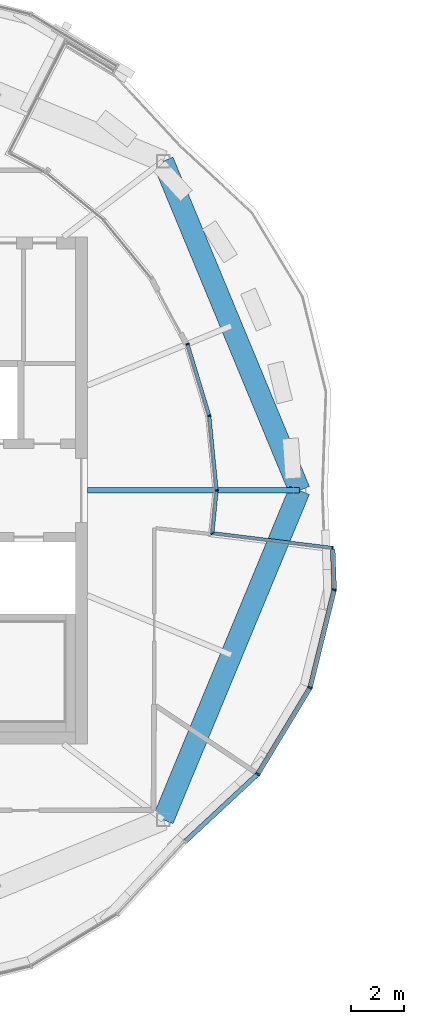
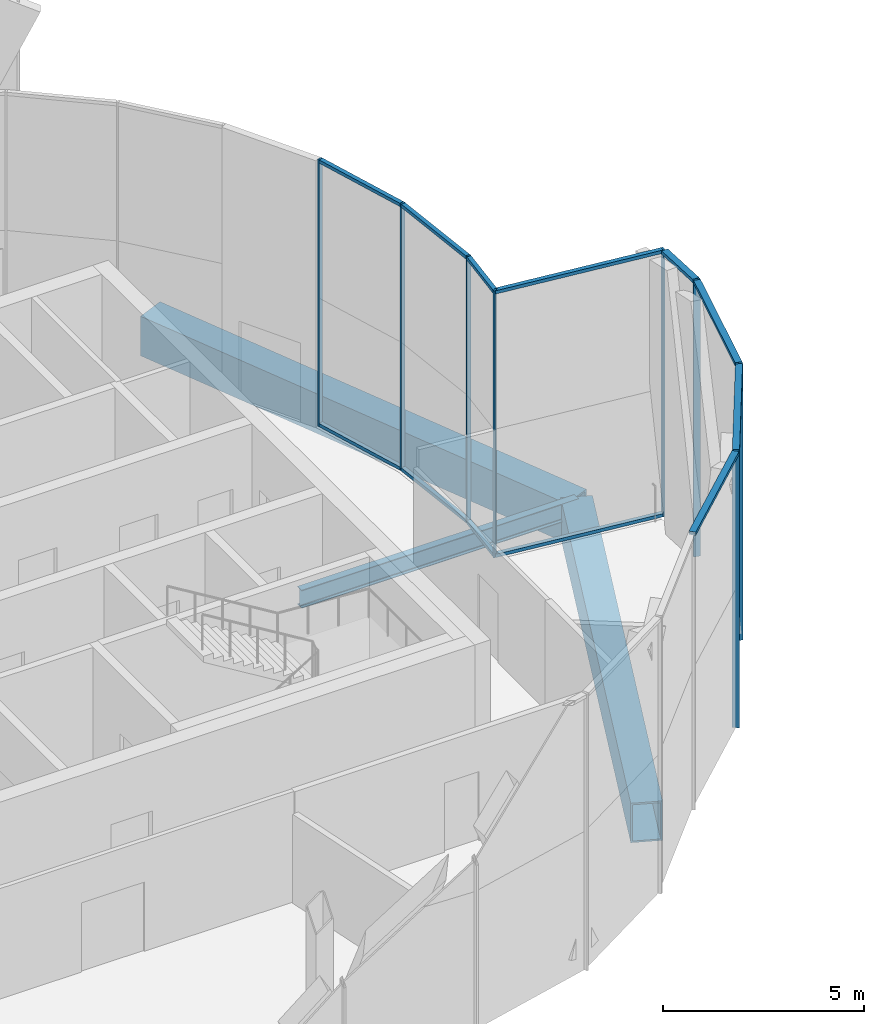
# One storey, part 7 of 24: 20 members, 3 beams, 4 elements without a shape of their own.
"""IFC4 building model written with IfcOpenShell, lengths in metres."""

from ifc_helpers import new_model, si_unit, direction, frame, origin, origin_2d, place, context, subcontext, project, spatial, rectangle, hollow_rectangle, i_section, extrude, material, material_profile, profile_set, type_object, element, aggregate, save


model = new_model("IFC4")

# Units and contexts
model_context = context("Model", 3, precision=1e-05, world=origin(), true_north=direction((0.0, 1.0)))
body_context = subcontext(model_context, "Body", "Model", "MODEL_VIEW")
ifc_project = project(units=[si_unit("LENGTHUNIT", "METRE"), si_unit("AREAUNIT", "SQUARE_METRE"), si_unit("VOLUMEUNIT", "CUBIC_METRE"), si_unit("PLANEANGLEUNIT", "RADIAN"), si_unit("MASSUNIT", "GRAM", prefix="KILO")], contexts=[model_context])

# Site, building, storey
site_placement = place(None, origin())
site = spatial("IfcSite", under=ifc_project, at=site_placement, CompositionType="ELEMENT")
building_placement = place(site_placement, origin())
building = spatial("IfcBuilding", under=site, at=building_placement, Name="Ogive Gate Towers", CompositionType="ELEMENT")
storey_placement = place(building_placement, frame((0.0, 0.0, 277.199951171875)))
storey = spatial("IfcBuildingStorey", under=building, at=storey_placement, Name="L65", CompositionType="ELEMENT", Elevation=277.199951171875)

# Beams
ifc_material_1 = material(Name="Steel SM460", Category="steel")
ifc_material_profile_1 = material_profile(ifc_material_1, hollow_rectangle(XDim=0.800048828125, YDim=1.199951171875, WallThickness=0.050048828125, at=origin_2d()), Name="BX 1200x800x50")
ifc_profile_set_1 = profile_set([ifc_material_profile_1], Name="Steel SM460")
beam_type_1 = type_object("IfcBeamType", Name="Edge girder BX 1200x800x50", PredefinedType="BEAM", material=ifc_profile_set_1)
for number, where, z_axis, x_axis, name in (
    (1, (-23.657470703125, -12.342529296875, -0.89990234375), (0.382690191996, 0.923876732551, 0.0), (-0.923876732551, 0.382690191996, 0.0), "T1/L65/SBM019"),
    (2, (-18.544921875, 0.0, -0.89990234375), (-0.382690191996, 0.923876732551, 0.0), (-0.923876732551, -0.382690191996, 0.0), "T1/L65/SBM020"),
):
    element("IfcBeam", number, at=place(storey_placement, frame(where, z_axis=z_axis, x_axis=x_axis)), inside=storey, type_object=beam_type_1, Name=name, PredefinedType="BEAM", context=body_context, shape_type="SweptSolid", body=[
        extrude(hollow_rectangle(XDim=0.800048828125, YDim=1.199951171875, WallThickness=0.050048828125, at=origin_2d()), origin(), (0.0, 0.0, 1.0), 13.359619140625),
    ])
ifc_material_2 = material(Name="Steel SM355", Category="steel")
ifc_material_profile_2 = material_profile(ifc_material_2, i_section(OverallWidth=0.2099609375, OverallDepth=0.550048828125, WebThickness=0.010986328125, FlangeThickness=0.01708984375, FilletRadius=0.02392578125, at=origin_2d()), Name="IPE 550")
ifc_profile_set_2 = profile_set([ifc_material_profile_2], Name="Steel SM355")
beam_type_2 = type_object("IfcBeamType", Name="Radial floor beam IPE 550", PredefinedType="BEAM", material=ifc_profile_set_2)
beam_placement = place(storey_placement, frame((-26.5, 0.0, -0.574951171875), z_axis=(1.0, 0.0, 0.0), x_axis=(0.0, 1.0, 0.0)))
element("IfcBeam", 3, at=beam_placement, inside=storey, type_object=beam_type_2, Name="T1/L65/SBM007", PredefinedType="BEAM", context=body_context, shape_type="SweptSolid", body=[
    extrude(i_section(OverallWidth=0.2099609375, OverallDepth=0.550048828125, WebThickness=0.010986328125, FlangeThickness=0.01708984375, FilletRadius=0.02392578125, at=origin_2d()), origin(), (0.0, 0.0, 1.0), 7.955078125),
])

# Curtain wall, members
ifc_material_3 = material(Name="Pale metal aluminium", Category="aluminium")
curtain_wall_type_1 = type_object("IfcCurtainWallType", Name="Sky garden glazing", PredefinedType="NOTDEFINED", material=ifc_material_3)
curtain_wall_1_placement = place(storey_placement, origin())
curtain_wall_1 = element("IfcCurtainWall", 4, at=curtain_wall_1_placement, inside=storey, type_object=curtain_wall_type_1, Name="CW4 T1 ECW01b", PredefinedType="NOTDEFINED")
ifc_material_profile_3 = material_profile(ifc_material_3, rectangle(XDim=0.1201171875, YDim=0.050048828125, at=origin_2d()), Name="50 x 120 aluminium box")
ifc_profile_set_3 = profile_set([ifc_material_profile_3], Name="Pale metal aluminium")
member_type_1 = type_object("IfcMemberType", Name="Sky garden glazing mullion 50 x 120", PredefinedType="MULLION", material=ifc_profile_set_3)
member_1_placement = place(storey_placement, frame((-22.740478515625, 5.488037109375, 0.0), z_axis=(0.0, 0.0, 1.0), x_axis=(-0.95694540201, -0.290267975451, 0.0)))
member_1 = element("IfcMember", 5, at=member_1_placement, type_object=member_type_1, Name="CW4 mullion", PredefinedType="MULLION", context=body_context, shape_type="SweptSolid", body=[
    extrude(rectangle(XDim=0.1201171875, YDim=0.050048828125, at=origin_2d()), origin(), (0.0, 0.0, 1.0), 8.10009765625),
])
member_2_placement = place(storey_placement, frame((-21.92529296875, 2.799560546875, 0.0), z_axis=(0.0, 0.0, 1.0), x_axis=(-0.980785280403, -0.195090322016, 0.0)))
member_2 = element("IfcMember", 6, at=member_2_placement, type_object=member_type_1, Name="CW4 mullion", PredefinedType="MULLION", context=body_context, shape_type="SweptSolid", body=[
    extrude(rectangle(XDim=0.1201171875, YDim=0.050048828125, at=origin_2d()), origin(), (0.0, 0.0, 1.0), 8.10009765625),
])
member_3_placement = place(storey_placement, frame((-21.649658203125, 0.00390625, 0.0), z_axis=(0.0, 0.0, 1.0), x_axis=(-0.995183015799, -0.098034509565, 0.0)))
member_3 = element("IfcMember", 7, at=member_3_placement, type_object=member_type_1, Name="CW4 mullion", PredefinedType="MULLION", context=body_context, shape_type="SweptSolid", body=[
    extrude(rectangle(XDim=0.1201171875, YDim=0.050048828125, at=origin_2d()), origin(), (0.0, 0.0, 1.0), 8.10009765625),
])

curtain_wall_2_placement = place(storey_placement, origin())
curtain_wall_2 = element("IfcCurtainWall", 8, at=curtain_wall_2_placement, inside=storey, type_object=curtain_wall_type_1, Name="CW4 T1 ECW03", PredefinedType="NOTDEFINED")
member_4_placement = place(storey_placement, frame((-21.819580078125, -1.611572265625, 0.0), z_axis=(0.0, 0.0, 1.0), x_axis=(-0.780572250307, -0.625065566201, 0.0)))
member_4 = element("IfcMember", 9, at=member_4_placement, type_object=member_type_1, Name="CW4 mullion", PredefinedType="MULLION", context=body_context, shape_type="SweptSolid", body=[
    extrude(rectangle(XDim=0.1201171875, YDim=0.050048828125, at=origin_2d()), origin(), (0.0, 0.0, 1.0), 8.10009765625),
])
member_5_placement = place(storey_placement, frame((-17.305419921875, -2.154296875, 0.0), z_axis=(0.0, 0.0, 1.0), x_axis=(-0.121869343405, -0.992546151641, 0.0)))
member_5 = element("IfcMember", 10, at=member_5_placement, type_object=member_type_1, Name="CW4 mullion", PredefinedType="MULLION", context=body_context, shape_type="SweptSolid", body=[
    extrude(rectangle(XDim=0.1201171875, YDim=0.050048828125, at=origin_2d()), origin(), (0.0, 0.0, 1.0), 8.10009765625),
])

# Member
ifc_material_profile_4 = material_profile(ifc_material_3, rectangle(XDim=0.1201171875, YDim=0.10009765625, at=origin_2d()), Name="100 x 120 aluminium box")
ifc_profile_set_4 = profile_set([ifc_material_profile_4], Name="Pale metal aluminium")
member_type_2 = type_object("IfcMemberType", Name="Sky garden glazing transom 100 x 120", PredefinedType="USERDEFINED", material=ifc_profile_set_4)
member_6_placement = place(storey_placement, frame((-22.7333984375, 5.464111328125, 8.050048828125), z_axis=(0.290272978297, -0.956943884494, 0.0), x_axis=(0.956943884494, 0.290272978297, 0.0)))
member_6 = element("IfcMember", 11, at=member_6_placement, type_object=member_type_2, Name="CW4 transom", ObjectType="TRANSOM", PredefinedType="USERDEFINED", context=body_context, shape_type="SweptSolid", body=[
    extrude(rectangle(XDim=0.1201171875, YDim=0.10009765625, at=origin_2d()), origin(), (0.0, 0.0, 1.0), 2.75537109375),
])

member_7_placement = place(storey_placement, frame((-22.7333984375, 5.464111328125, 0.050048828125), z_axis=(0.290272978297, -0.956943884494, 0.0), x_axis=(0.956943884494, 0.290272978297, 0.0)))
member_7 = element("IfcMember", 12, at=member_7_placement, type_object=member_type_2, Name="CW4 transom", ObjectType="TRANSOM", PredefinedType="USERDEFINED", context=body_context, shape_type="SweptSolid", body=[
    extrude(rectangle(XDim=0.1201171875, YDim=0.10009765625, at=origin_2d()), origin(), (0.0, 0.0, 1.0), 2.75537109375),
])

member_8_placement = place(storey_placement, frame((-21.922119140625, 2.770751953125, 8.050048828125), z_axis=(0.098003366397, -0.99518608319, 0.0), x_axis=(0.99518608319, 0.098003366397, 0.0)))
member_8 = element("IfcMember", 13, at=member_8_placement, type_object=member_type_2, Name="CW4 transom", ObjectType="TRANSOM", PredefinedType="USERDEFINED", context=body_context, shape_type="SweptSolid", body=[
    extrude(rectangle(XDim=0.1201171875, YDim=0.10009765625, at=origin_2d()), origin(), (0.0, 0.0, 1.0), 2.755126953125),
])

member_9_placement = place(storey_placement, frame((-21.922119140625, 2.770751953125, 0.050048828125), z_axis=(0.098003366397, -0.99518608319, 0.0), x_axis=(0.99518608319, 0.098003366397, 0.0)))
member_9 = element("IfcMember", 14, at=member_9_placement, type_object=member_type_2, Name="CW4 transom", ObjectType="TRANSOM", PredefinedType="USERDEFINED", context=body_context, shape_type="SweptSolid", body=[
    extrude(rectangle(XDim=0.1201171875, YDim=0.10009765625, at=origin_2d()), origin(), (0.0, 0.0, 1.0), 2.755126953125),
])

aggregate(curtain_wall_1, [member_1, member_2, member_6, member_7, member_3, member_8, member_9])

member_10_placement = place(storey_placement, frame((-21.652099609375, -0.02880859375, 8.050048828125), z_axis=(-0.098002637206, -0.995186154999, 0.0), x_axis=(0.995186154999, -0.098002637206, 0.0)))
member_10 = element("IfcMember", 15, at=member_10_placement, type_object=member_type_2, Name="CW4 transom", ObjectType="TRANSOM", PredefinedType="USERDEFINED", context=body_context, shape_type="SweptSolid", body=[
    extrude(rectangle(XDim=0.1201171875, YDim=0.10009765625, at=origin_2d()), origin(), (0.0, 0.0, 1.0), 1.59423828125),
])

member_11_placement = place(storey_placement, frame((-21.652099609375, -0.02880859375, 0.050048828125), z_axis=(-0.098002637206, -0.995186154999, 0.0), x_axis=(0.995186154999, -0.098002637206, 0.0)))
member_11 = element("IfcMember", 16, at=member_11_placement, type_object=member_type_2, Name="CW4 transom", ObjectType="TRANSOM", PredefinedType="USERDEFINED", context=body_context, shape_type="SweptSolid", body=[
    extrude(rectangle(XDim=0.1201171875, YDim=0.10009765625, at=origin_2d()), origin(), (0.0, 0.0, 1.0), 1.59423828125),
])

member_12_placement = place(storey_placement, frame((-21.821044921875, -1.599853515625, 8.050048828125), z_axis=(0.992543684323, -0.121889436417, 0.0), x_axis=(0.121889436417, 0.992543684323, 0.0)))
member_12 = element("IfcMember", 17, at=member_12_placement, type_object=member_type_2, Name="CW4 transom", ObjectType="TRANSOM", PredefinedType="USERDEFINED", context=body_context, shape_type="SweptSolid", body=[
    extrude(rectangle(XDim=0.1201171875, YDim=0.10009765625, at=origin_2d()), origin(), (0.0, 0.0, 1.0), 4.524658203125),
])

member_13_placement = place(storey_placement, frame((-21.821044921875, -1.599853515625, 0.050048828125), z_axis=(0.992543684323, -0.121889436417, 0.0), x_axis=(0.121889436417, 0.992543684323, 0.0)))
member_13 = element("IfcMember", 18, at=member_13_placement, type_object=member_type_2, Name="CW4 transom", ObjectType="TRANSOM", PredefinedType="USERDEFINED", context=body_context, shape_type="SweptSolid", body=[
    extrude(rectangle(XDim=0.1201171875, YDim=0.10009765625, at=origin_2d()), origin(), (0.0, 0.0, 1.0), 4.524658203125),
])

aggregate(curtain_wall_2, [member_4, member_10, member_11, member_5, member_12, member_13])

# Curtain wall, members
curtain_wall_type_2 = type_object("IfcCurtainWallType", Name="Tower unitised wall, high zone", PredefinedType="NOTDEFINED", material=ifc_material_3)
curtain_wall_3_placement = place(storey_placement, origin())
curtain_wall_3 = element("IfcCurtainWall", 19, at=curtain_wall_3_placement, inside=storey, type_object=curtain_wall_type_2, Name="CW2 T1 ECW10", PredefinedType="NOTDEFINED")
ifc_material_profile_5 = material_profile(ifc_material_3, rectangle(XDim=0.179931640625, YDim=0.06005859375, at=origin_2d()), Name="60 x 180 aluminium box")
ifc_profile_set_5 = profile_set([ifc_material_profile_5], Name="Pale metal aluminium")
member_type_3 = type_object("IfcMemberType", Name="Tower unitised wall, high zone mullion 60 x 180", PredefinedType="MULLION", material=ifc_profile_set_5)
member_14_placement = place(storey_placement, frame((-17.2451171875, -3.721435546875, -0.300048828125), z_axis=(0.0, 0.0, 1.0), x_axis=(-0.970992560328, 0.239109698229, 0.0)))
member_14 = element("IfcMember", 20, at=member_14_placement, type_object=member_type_3, Name="CW2 mullion", PredefinedType="MULLION", context=body_context, shape_type="SweptSolid", body=[
    extrude(rectangle(XDim=0.179931640625, YDim=0.06005859375, at=origin_2d()), origin(), (0.0, 0.0, 1.0), 8.400146484375),
])
member_15_placement = place(storey_placement, frame((-18.149658203125, -7.393798828125, -0.300048828125), z_axis=(0.0, 0.0, 1.0), x_axis=(-0.923879532511, 0.382683432365, 0.0)))
member_15 = element("IfcMember", 21, at=member_15_placement, type_object=member_type_3, Name="CW2 mullion", PredefinedType="MULLION", context=body_context, shape_type="SweptSolid", body=[
    extrude(rectangle(XDim=0.179931640625, YDim=0.06005859375, at=origin_2d()), origin(), (0.0, 0.0, 1.0), 8.400146484375),
])
member_16_placement = place(storey_placement, frame((-20.107666015625, -10.63134765625, -0.300048828125), z_axis=(0.0, 0.0, 1.0), x_axis=(-0.775782162127, 0.631000821652, 0.0)))
member_16 = element("IfcMember", 22, at=member_16_placement, type_object=member_type_3, Name="CW2 mullion", PredefinedType="MULLION", context=body_context, shape_type="SweptSolid", body=[
    extrude(rectangle(XDim=0.179931640625, YDim=0.06005859375, at=origin_2d()), origin(), (0.0, 0.0, 1.0), 8.400146484375),
])
ifc_material_profile_6 = material_profile(ifc_material_3, rectangle(XDim=0.179931640625, YDim=0.10009765625, at=origin_2d()), Name="100 x 180 aluminium box")
ifc_profile_set_6 = profile_set([ifc_material_profile_6], Name="Pale metal aluminium")
member_type_4 = type_object("IfcMemberType", Name="Tower unitised wall, high zone transom 100 x 180", PredefinedType="USERDEFINED", material=ifc_profile_set_6)
member_17_placement = place(storey_placement, frame((-17.252197265625, -3.75048828125, 8.050048828125), z_axis=(-0.239106612946, -0.970993320083, 0.0), x_axis=(0.970993320083, -0.239106612946, 0.0)))
member_17 = element("IfcMember", 23, at=member_17_placement, type_object=member_type_4, Name="CW2 transom", ObjectType="TRANSOM", PredefinedType="USERDEFINED", context=body_context, shape_type="SweptSolid", body=[
    extrude(rectangle(XDim=0.179931640625, YDim=0.10009765625, at=origin_2d()), origin(), (0.0, 0.0, 1.0), 3.720703125),
])
member_18_placement = place(storey_placement, frame((-18.165771484375, -7.4208984375, 8.050048828125), z_axis=(-0.51753219803, -0.855663733018, 0.0), x_axis=(0.855663733018, -0.51753219803, 0.0)))
member_18 = element("IfcMember", 24, at=member_18_placement, type_object=member_type_4, Name="CW2 transom", ObjectType="TRANSOM", PredefinedType="USERDEFINED", context=body_context, shape_type="SweptSolid", body=[
    extrude(rectangle(XDim=0.179931640625, YDim=0.10009765625, at=origin_2d()), origin(), (0.0, 0.0, 1.0), 3.720703125),
])
member_19_placement = place(storey_placement, frame((-20.130615234375, -10.65283203125, 8.050048828125), z_axis=(-0.732311225366, -0.680970094206, 0.0), x_axis=(0.680970094206, -0.732311225366, 0.0)))
member_19 = element("IfcMember", 25, at=member_19_placement, type_object=member_type_4, Name="CW2 transom", ObjectType="TRANSOM", PredefinedType="USERDEFINED", context=body_context, shape_type="SweptSolid", body=[
    extrude(rectangle(XDim=0.179931640625, YDim=0.10009765625, at=origin_2d()), origin(), (0.0, 0.0, 1.0), 3.66162109375),
])
aggregate(curtain_wall_3, [member_14, member_15, member_17, member_16, member_18, member_19])

# Curtain wall, member
curtain_wall_4_placement = place(storey_placement, origin())
curtain_wall_4 = element("IfcCurtainWall", 26, at=curtain_wall_4_placement, inside=storey, type_object=curtain_wall_type_2, Name="CW2 T1 ECW10b", PredefinedType="NOTDEFINED")
member_20_placement = place(storey_placement, frame((-17.299072265625, -2.2236328125, 8.050048828125), z_axis=(0.036303332454, -0.999340816765, 0.0), x_axis=(0.999340816765, 0.036303332454, 0.0)))
member_20 = element("IfcMember", 27, at=member_20_placement, type_object=member_type_4, Name="CW2 transom", ObjectType="TRANSOM", PredefinedType="USERDEFINED", context=body_context, shape_type="SweptSolid", body=[
    extrude(rectangle(XDim=0.179931640625, YDim=0.10009765625, at=origin_2d()), origin(), (0.0, 0.0, 1.0), 1.466064453125),
])
aggregate(curtain_wall_4, [member_20])

save(model, "model.ifc")
